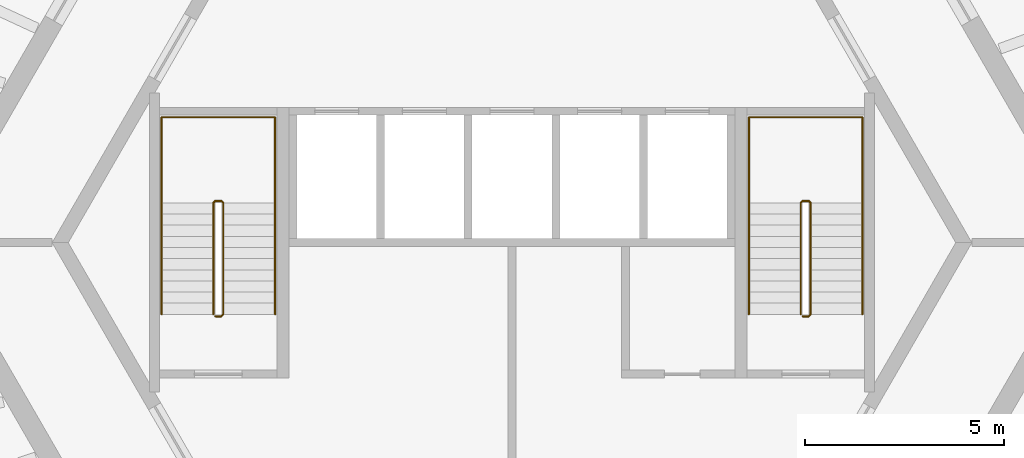
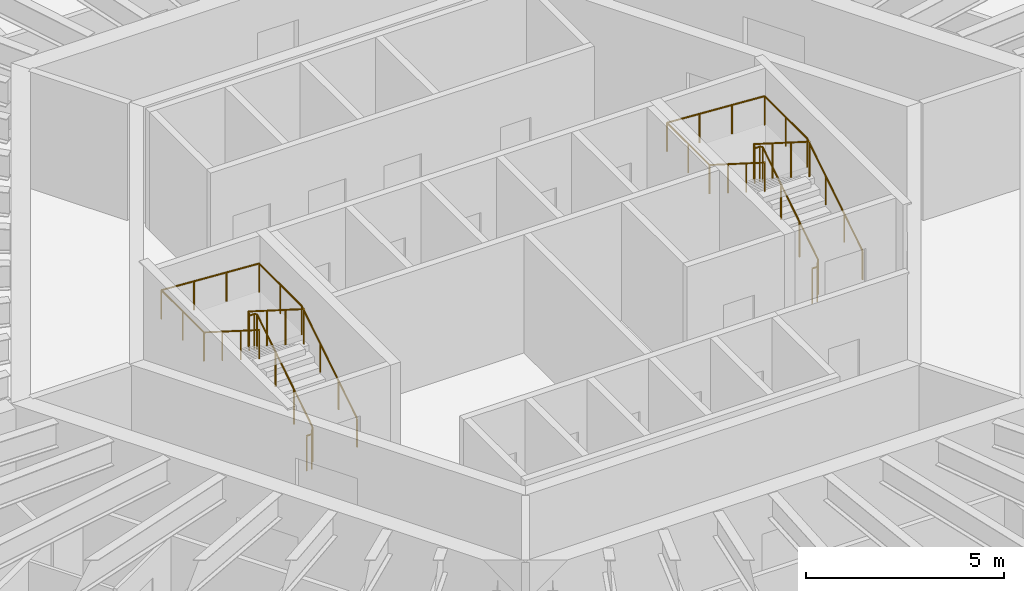
# One storey, part 10 of 10: 4 railings.
"""IFC4 building model written with IfcOpenShell, lengths in metres."""

from ifc_helpers import new_model, si_unit, direction, frame, origin, origin_2d, place, context, subcontext, project, spatial, circle, extrude, material, type_object, element, save


model = new_model("IFC4")

# Units and contexts
model_context = context("Model", 3, precision=1e-05, world=origin(), true_north=direction((0.0, 1.0)))
body_context = subcontext(model_context, "Body", "Model", "MODEL_VIEW")
ifc_project = project(units=[si_unit("LENGTHUNIT", "METRE"), si_unit("AREAUNIT", "SQUARE_METRE"), si_unit("VOLUMEUNIT", "CUBIC_METRE"), si_unit("PLANEANGLEUNIT", "RADIAN"), si_unit("MASSUNIT", "GRAM", prefix="KILO")], contexts=[model_context])

# Site, building, storey
site_placement = place(None, origin())
site = spatial("IfcSite", under=ifc_project, at=site_placement, CompositionType="ELEMENT")
building_placement = place(site_placement, origin())
building = spatial("IfcBuilding", under=site, at=building_placement, Name="Tarnside Tower", CompositionType="ELEMENT")
storey_placement = place(building_placement, frame((0.0, 0.0, 246.300048828125)))
storey = spatial("IfcBuildingStorey", under=building, at=storey_placement, Name="L59", CompositionType="ELEMENT", Elevation=246.300048828125)

# Railings
ifc_material = material(Name="Stainless steel", Category="steel")
railing_type_1 = type_object("IfcRailingType", Name="Stair guard 1100", PredefinedType="GUARDRAIL", material=ifc_material)
railing_1_placement = place(storey_placement, frame((7.300048828125, -1.85009765625, 0.0)))
element("IfcRailing", 1, at=railing_1_placement, inside=storey, type_object=railing_type_1, Name="L59 ST1 stair guard 1", PredefinedType="GUARDRAIL", context=body_context, shape_type="SweptSolid", body=[
    extrude(circle(Radius=0.02392578125, at=origin_2d()), frame((0.0, 0.0, 1.076171875), z_axis=(1.0, 0.0, 0.0), x_axis=(0.0, 1.0, 0.0)), (0.0, 0.0, 1.0), 0.14990234375),
    extrude(circle(Radius=0.02392578125, at=origin_2d()), frame((0.14990234375, 0.0, 1.076171875), z_axis=(0.262233686654, 0.262233686654, 0.928691007369), x_axis=(-0.707106781187, 0.707106781187, 0.0)), (0.0, 0.0, 1.0), 0.19091796875),
    extrude(circle(Radius=0.02392578125, at=origin_2d()), frame((0.199951171875, 0.050048828125, 1.25341796875), z_axis=(0.0, 0.844908973607, 0.534910110503), x_axis=(-1.0, 0.0, 0.0)), (0.0, 0.0, 1.0), 3.31396484375),
    extrude(circle(Radius=0.02392578125, at=origin_2d()), frame((0.199951171875, 2.85009765625, 3.02587890625), z_axis=(-0.707106781187, 0.707106781187, 0.0), x_axis=(-0.707106781187, -0.707106781187, 0.0)), (0.0, 0.0, 1.0), 0.07080078125),
    extrude(circle(Radius=0.02392578125, at=origin_2d()), frame((0.14990234375, 2.900146484375, 3.02587890625), z_axis=(-1.0, 0.0, 0.0), x_axis=(0.0, -1.0, 0.0)), (0.0, 0.0, 1.0), 0.14990234375),
    extrude(circle(Radius=0.02392578125, at=origin_2d()), frame((0.0, 2.900146484375, 3.02587890625), z_axis=(-0.262233686654, -0.262233686654, 0.928691007369), x_axis=(0.707106781187, -0.707106781187, 0.0)), (0.0, 0.0, 1.0), 0.19091796875),
    extrude(circle(Radius=0.02392578125, at=origin_2d()), frame((-0.050048828125, 2.85009765625, 3.203125), z_axis=(0.0, -0.844908973607, 0.534910110503), x_axis=(1.0, 0.0, 0.0)), (0.0, 0.0, 1.0), 3.31396484375),
    extrude(circle(Radius=0.02099609375, at=origin_2d()), origin(), (0.0, 0.0, 1.0), 1.052001953125),
    extrude(circle(Radius=0.02099609375, at=origin_2d()), frame((0.14990234375, 0.0, 0.0)), (0.0, 0.0, 1.0), 1.052001953125),
    extrude(circle(Radius=0.02099609375, at=origin_2d()), frame((0.199951171875, 0.050048828125, 0.17724609375)), (0.0, 0.0, 1.0), 1.052001953125),
    extrude(circle(Radius=0.02099609375, at=origin_2d()), frame((0.199951171875, 0.9833984375, 0.76806640625)), (0.0, 0.0, 1.0), 1.052001953125),
    extrude(circle(Radius=0.02099609375, at=origin_2d()), frame((0.199951171875, 1.916748046875, 1.359130859375)), (0.0, 0.0, 1.0), 1.052001953125),
    extrude(circle(Radius=0.02099609375, at=origin_2d()), frame((0.199951171875, 2.85009765625, 1.949951171875)), (0.0, 0.0, 1.0), 1.052001953125),
    extrude(circle(Radius=0.02099609375, at=origin_2d()), frame((0.14990234375, 2.900146484375, 1.949951171875)), (0.0, 0.0, 1.0), 1.052001953125),
    extrude(circle(Radius=0.02099609375, at=origin_2d()), frame((0.0, 2.900146484375, 1.949951171875)), (0.0, 0.0, 1.0), 1.052001953125),
    extrude(circle(Radius=0.02099609375, at=origin_2d()), frame((-0.050048828125, 2.85009765625, 2.127197265625)), (0.0, 0.0, 1.0), 1.052001953125),
    extrude(circle(Radius=0.02099609375, at=origin_2d()), frame((-0.050048828125, 1.916748046875, 2.718017578125)), (0.0, 0.0, 1.0), 1.052001953125),
    extrude(circle(Radius=0.02099609375, at=origin_2d()), frame((-0.050048828125, 0.9833984375, 3.30908203125)), (0.0, 0.0, 1.0), 1.052001953125),
    extrude(circle(Radius=0.02099609375, at=origin_2d()), frame((-0.050048828125, 0.050048828125, 3.89990234375)), (0.0, 0.0, 1.0), 1.052001953125),
])
railing_2_placement = place(storey_placement, frame((-7.449951171875, -1.85009765625, 0.0)))
element("IfcRailing", 2, at=railing_2_placement, inside=storey, type_object=railing_type_1, Name="L59 ST2 stair guard 1", PredefinedType="GUARDRAIL", context=body_context, shape_type="SweptSolid", body=[
    extrude(circle(Radius=0.02392578125, at=origin_2d()), frame((0.0, 0.0, 1.076171875), z_axis=(1.0, 0.0, 0.0), x_axis=(0.0, 1.0, 0.0)), (0.0, 0.0, 1.0), 0.14990234375),
    extrude(circle(Radius=0.02392578125, at=origin_2d()), frame((0.14990234375, 0.0, 1.076171875), z_axis=(0.262233686654, 0.262233686654, 0.928691007369), x_axis=(-0.707106781187, 0.707106781187, 0.0)), (0.0, 0.0, 1.0), 0.19091796875),
    extrude(circle(Radius=0.02392578125, at=origin_2d()), frame((0.199951171875, 0.050048828125, 1.25341796875), z_axis=(0.0, 0.844908973607, 0.534910110503), x_axis=(-1.0, 0.0, 0.0)), (0.0, 0.0, 1.0), 3.31396484375),
    extrude(circle(Radius=0.02392578125, at=origin_2d()), frame((0.199951171875, 2.85009765625, 3.02587890625), z_axis=(-0.707106781187, 0.707106781187, 0.0), x_axis=(-0.707106781187, -0.707106781187, 0.0)), (0.0, 0.0, 1.0), 0.07080078125),
    extrude(circle(Radius=0.02392578125, at=origin_2d()), frame((0.14990234375, 2.900146484375, 3.02587890625), z_axis=(-1.0, 0.0, 0.0), x_axis=(0.0, -1.0, 0.0)), (0.0, 0.0, 1.0), 0.14990234375),
    extrude(circle(Radius=0.02392578125, at=origin_2d()), frame((0.0, 2.900146484375, 3.02587890625), z_axis=(-0.262233686654, -0.262233686654, 0.928691007369), x_axis=(0.707106781187, -0.707106781187, 0.0)), (0.0, 0.0, 1.0), 0.19091796875),
    extrude(circle(Radius=0.02392578125, at=origin_2d()), frame((-0.050048828125, 2.85009765625, 3.203125), z_axis=(0.0, -0.844908973607, 0.534910110503), x_axis=(1.0, 0.0, 0.0)), (0.0, 0.0, 1.0), 3.31396484375),
    extrude(circle(Radius=0.02099609375, at=origin_2d()), origin(), (0.0, 0.0, 1.0), 1.052001953125),
    extrude(circle(Radius=0.02099609375, at=origin_2d()), frame((0.14990234375, 0.0, 0.0)), (0.0, 0.0, 1.0), 1.052001953125),
    extrude(circle(Radius=0.02099609375, at=origin_2d()), frame((0.199951171875, 0.050048828125, 0.17724609375)), (0.0, 0.0, 1.0), 1.052001953125),
    extrude(circle(Radius=0.02099609375, at=origin_2d()), frame((0.199951171875, 0.9833984375, 0.76806640625)), (0.0, 0.0, 1.0), 1.052001953125),
    extrude(circle(Radius=0.02099609375, at=origin_2d()), frame((0.199951171875, 1.916748046875, 1.359130859375)), (0.0, 0.0, 1.0), 1.052001953125),
    extrude(circle(Radius=0.02099609375, at=origin_2d()), frame((0.199951171875, 2.85009765625, 1.949951171875)), (0.0, 0.0, 1.0), 1.052001953125),
    extrude(circle(Radius=0.02099609375, at=origin_2d()), frame((0.14990234375, 2.900146484375, 1.949951171875)), (0.0, 0.0, 1.0), 1.052001953125),
    extrude(circle(Radius=0.02099609375, at=origin_2d()), frame((0.0, 2.900146484375, 1.949951171875)), (0.0, 0.0, 1.0), 1.052001953125),
    extrude(circle(Radius=0.02099609375, at=origin_2d()), frame((-0.050048828125, 2.85009765625, 2.127197265625)), (0.0, 0.0, 1.0), 1.052001953125),
    extrude(circle(Radius=0.02099609375, at=origin_2d()), frame((-0.050048828125, 1.916748046875, 2.718017578125)), (0.0, 0.0, 1.0), 1.052001953125),
    extrude(circle(Radius=0.02099609375, at=origin_2d()), frame((-0.050048828125, 0.9833984375, 3.30908203125)), (0.0, 0.0, 1.0), 1.052001953125),
    extrude(circle(Radius=0.02099609375, at=origin_2d()), frame((-0.050048828125, 0.050048828125, 3.89990234375)), (0.0, 0.0, 1.0), 1.052001953125),
])
railing_type_2 = type_object("IfcRailingType", Name="Stair handrail 900", PredefinedType="HANDRAIL", material=ifc_material)
railing_3_placement = place(storey_placement, frame((8.800048828125, -1.800048828125, 0.17724609375)))
element("IfcRailing", 3, at=railing_3_placement, inside=storey, type_object=railing_type_2, Name="L59 ST1 stair handrail 1", PredefinedType="HANDRAIL", context=body_context, shape_type="SweptSolid", body=[
    extrude(circle(Radius=0.02392578125, at=origin_2d()), frame((0.0, 0.0, 0.8857421875), z_axis=(0.0, 0.844908973607, 0.534910110503), x_axis=(-1.0, 0.0, 0.0)), (0.0, 0.0, 1.0), 3.31396484375),
    extrude(circle(Radius=0.02392578125, at=origin_2d()), frame((0.0, 2.800048828125, 2.65869140625), z_axis=(0.0, 1.0, 0.0), x_axis=(-1.0, 0.0, 0.0)), (0.0, 0.0, 1.0), 2.14990234375),
    extrude(circle(Radius=0.02392578125, at=origin_2d()), frame((0.0, 4.949951171875, 2.65869140625), z_axis=(-0.998071825391, 0.0, 0.06206956872), x_axis=(0.0, -1.0, 0.0)), (0.0, 0.0, 1.0), 2.855712890625),
    extrude(circle(Radius=0.02392578125, at=origin_2d()), frame((-2.85009765625, 4.949951171875, 2.8359375), z_axis=(0.0, -1.0, 0.0), x_axis=(1.0, 0.0, 0.0)), (0.0, 0.0, 1.0), 2.14990234375),
    extrude(circle(Radius=0.02392578125, at=origin_2d()), frame((-2.85009765625, 2.800048828125, 2.8359375), z_axis=(0.0, -0.844908973607, 0.534910110503), x_axis=(1.0, 0.0, 0.0)), (0.0, 0.0, 1.0), 3.31396484375),
    extrude(circle(Radius=0.02099609375, at=origin_2d()), origin(), (0.0, 0.0, 1.0), 0.86181640625),
    extrude(circle(Radius=0.02099609375, at=origin_2d()), frame((0.0, 0.933349609375, 0.5908203125)), (0.0, 0.0, 1.0), 0.86181640625),
    extrude(circle(Radius=0.02099609375, at=origin_2d()), frame((0.0, 1.86669921875, 1.181884765625)), (0.0, 0.0, 1.0), 0.86181640625),
    extrude(circle(Radius=0.02099609375, at=origin_2d()), frame((0.0, 2.800048828125, 1.772705078125)), (0.0, 0.0, 1.0), 0.86181640625),
    extrude(circle(Radius=0.02099609375, at=origin_2d()), frame((0.0, 3.875, 1.772705078125)), (0.0, 0.0, 1.0), 0.86181640625),
    extrude(circle(Radius=0.02099609375, at=origin_2d()), frame((0.0, 4.949951171875, 1.772705078125)), (0.0, 0.0, 1.0), 0.86181640625),
    extrude(circle(Radius=0.02099609375, at=origin_2d()), frame((-0.949951171875, 4.949951171875, 1.831787109375)), (0.0, 0.0, 1.0), 0.86181640625),
    extrude(circle(Radius=0.02099609375, at=origin_2d()), frame((-1.900146484375, 4.949951171875, 1.890869140625)), (0.0, 0.0, 1.0), 0.86181640625),
    extrude(circle(Radius=0.02099609375, at=origin_2d()), frame((-2.85009765625, 4.949951171875, 1.949951171875)), (0.0, 0.0, 1.0), 0.86181640625),
    extrude(circle(Radius=0.02099609375, at=origin_2d()), frame((-2.85009765625, 3.875, 1.949951171875)), (0.0, 0.0, 1.0), 0.86181640625),
    extrude(circle(Radius=0.02099609375, at=origin_2d()), frame((-2.85009765625, 2.800048828125, 1.949951171875)), (0.0, 0.0, 1.0), 0.86181640625),
    extrude(circle(Radius=0.02099609375, at=origin_2d()), frame((-2.85009765625, 1.86669921875, 2.540771484375)), (0.0, 0.0, 1.0), 0.86181640625),
    extrude(circle(Radius=0.02099609375, at=origin_2d()), frame((-2.85009765625, 0.933349609375, 3.1318359375)), (0.0, 0.0, 1.0), 0.86181640625),
    extrude(circle(Radius=0.02099609375, at=origin_2d()), frame((-2.85009765625, 0.0, 3.72265625)), (0.0, 0.0, 1.0), 0.86181640625),
])
railing_4_placement = place(storey_placement, frame((-5.949951171875, -1.800048828125, 0.17724609375)))
element("IfcRailing", 4, at=railing_4_placement, inside=storey, type_object=railing_type_2, Name="L59 ST2 stair handrail 1", PredefinedType="HANDRAIL", context=body_context, shape_type="SweptSolid", body=[
    extrude(circle(Radius=0.02392578125, at=origin_2d()), frame((0.0, 0.0, 0.8857421875), z_axis=(0.0, 0.844908973607, 0.534910110503), x_axis=(-1.0, 0.0, 0.0)), (0.0, 0.0, 1.0), 3.31396484375),
    extrude(circle(Radius=0.02392578125, at=origin_2d()), frame((0.0, 2.800048828125, 2.65869140625), z_axis=(0.0, 1.0, 0.0), x_axis=(-1.0, 0.0, 0.0)), (0.0, 0.0, 1.0), 2.14990234375),
    extrude(circle(Radius=0.02392578125, at=origin_2d()), frame((0.0, 4.949951171875, 2.65869140625), z_axis=(-0.998071825391, 0.0, 0.06206956872), x_axis=(0.0, -1.0, 0.0)), (0.0, 0.0, 1.0), 2.855712890625),
    extrude(circle(Radius=0.02392578125, at=origin_2d()), frame((-2.85009765625, 4.949951171875, 2.8359375), z_axis=(0.0, -1.0, 0.0), x_axis=(1.0, 0.0, 0.0)), (0.0, 0.0, 1.0), 2.14990234375),
    extrude(circle(Radius=0.02392578125, at=origin_2d()), frame((-2.85009765625, 2.800048828125, 2.8359375), z_axis=(0.0, -0.844908973607, 0.534910110503), x_axis=(1.0, 0.0, 0.0)), (0.0, 0.0, 1.0), 3.31396484375),
    extrude(circle(Radius=0.02099609375, at=origin_2d()), origin(), (0.0, 0.0, 1.0), 0.86181640625),
    extrude(circle(Radius=0.02099609375, at=origin_2d()), frame((0.0, 0.933349609375, 0.5908203125)), (0.0, 0.0, 1.0), 0.86181640625),
    extrude(circle(Radius=0.02099609375, at=origin_2d()), frame((0.0, 1.86669921875, 1.181884765625)), (0.0, 0.0, 1.0), 0.86181640625),
    extrude(circle(Radius=0.02099609375, at=origin_2d()), frame((0.0, 2.800048828125, 1.772705078125)), (0.0, 0.0, 1.0), 0.86181640625),
    extrude(circle(Radius=0.02099609375, at=origin_2d()), frame((0.0, 3.875, 1.772705078125)), (0.0, 0.0, 1.0), 0.86181640625),
    extrude(circle(Radius=0.02099609375, at=origin_2d()), frame((0.0, 4.949951171875, 1.772705078125)), (0.0, 0.0, 1.0), 0.86181640625),
    extrude(circle(Radius=0.02099609375, at=origin_2d()), frame((-0.949951171875, 4.949951171875, 1.831787109375)), (0.0, 0.0, 1.0), 0.86181640625),
    extrude(circle(Radius=0.02099609375, at=origin_2d()), frame((-1.900146484375, 4.949951171875, 1.890869140625)), (0.0, 0.0, 1.0), 0.86181640625),
    extrude(circle(Radius=0.02099609375, at=origin_2d()), frame((-2.85009765625, 4.949951171875, 1.949951171875)), (0.0, 0.0, 1.0), 0.86181640625),
    extrude(circle(Radius=0.02099609375, at=origin_2d()), frame((-2.85009765625, 3.875, 1.949951171875)), (0.0, 0.0, 1.0), 0.86181640625),
    extrude(circle(Radius=0.02099609375, at=origin_2d()), frame((-2.85009765625, 2.800048828125, 1.949951171875)), (0.0, 0.0, 1.0), 0.86181640625),
    extrude(circle(Radius=0.02099609375, at=origin_2d()), frame((-2.85009765625, 1.86669921875, 2.540771484375)), (0.0, 0.0, 1.0), 0.86181640625),
    extrude(circle(Radius=0.02099609375, at=origin_2d()), frame((-2.85009765625, 0.933349609375, 3.1318359375)), (0.0, 0.0, 1.0), 0.86181640625),
    extrude(circle(Radius=0.02099609375, at=origin_2d()), frame((-2.85009765625, 0.0, 3.72265625)), (0.0, 0.0, 1.0), 0.86181640625),
])

save(model, "model.ifc")
